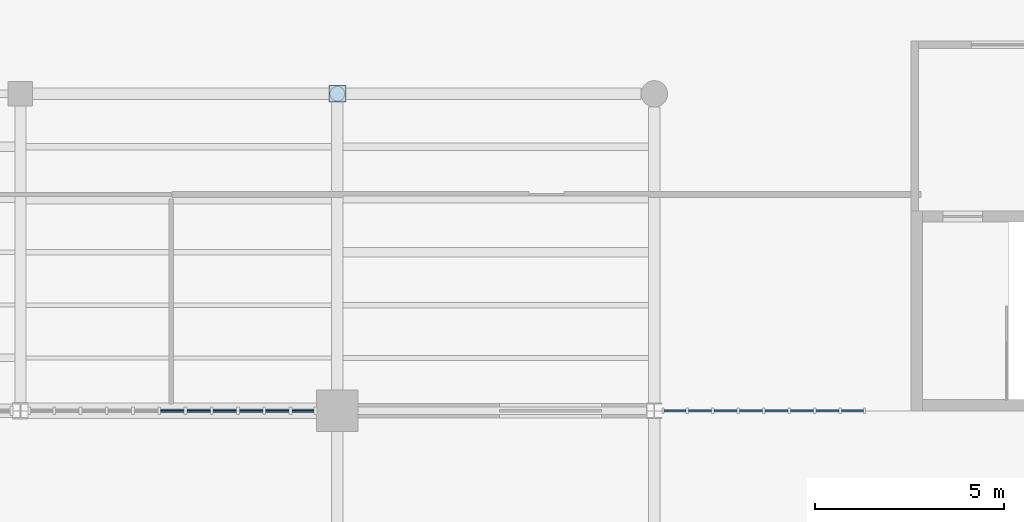
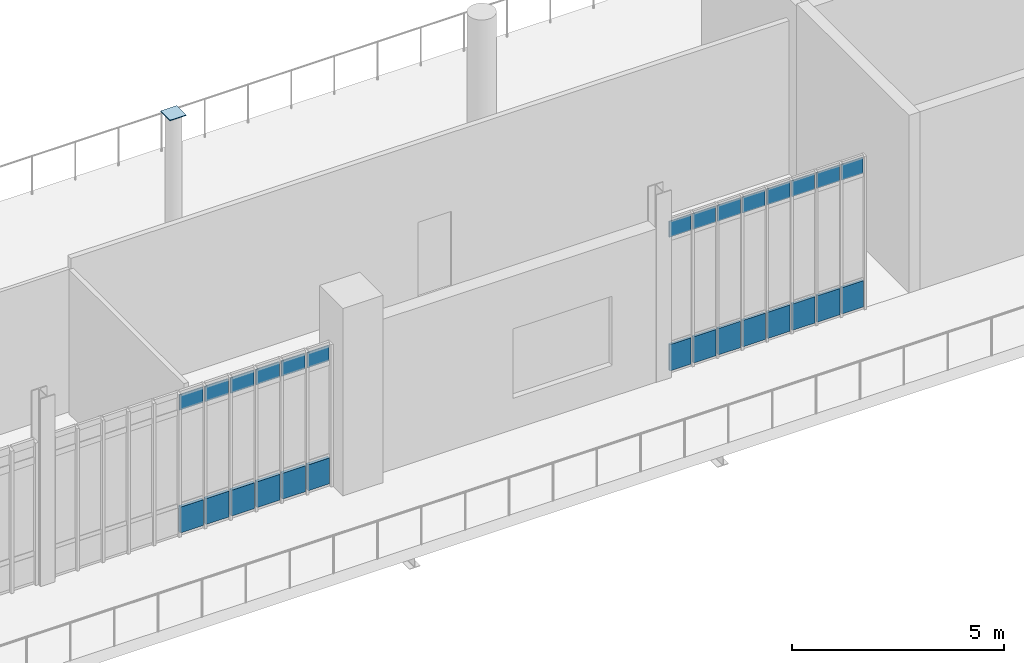
# One storey, part 94 of 135: 29 plates, 2 elements without a shape of their own.
"""IFC4 building model written with IfcOpenShell, lengths in metres."""

import ifcopenshell
import ifcopenshell.guid

model = None  # the IFC model being written
_history = None  # IfcOwnerHistory: only IFC2X3 demands one
_inside = {}  # id of a spatial element -> (the spatial element, [elements in it])
_under = {}  # id of a project, library or spatial element -> (it, [spatial elements below it])
_declared = {}  # id of a project -> (the project, [libraries it declares])
_typed = {}  # id of a type object -> (the type object, [elements of that type])
_made_of = {}  # id of a material, layer set ... -> (it, [elements and type objects made of it])


def new_model(schema):
    """Start an empty IFC model of exactly this schema.

    Asked for "IFC4X3", IfcOpenShell would pick the latest addendum, in which some entities
    have other attributes; the version numbers below select the first issue.
    IFC2X3 requires an IfcOwnerHistory on every rooted entity: one is made here for all.
    """
    global model, _history
    if schema == "IFC4X3":
        model = ifcopenshell.file(schema_version=(4, 3, 0, 0))
    else:
        model = ifcopenshell.file(schema=schema)
    _inside.clear()
    _under.clear()
    _declared.clear()
    _typed.clear()
    _made_of.clear()
    _history = None
    if model.schema == "IFC2X3":
        org = make("IfcOrganization", Name="unknown")
        user = make(
            "IfcPersonAndOrganization",
            ThePerson=make("IfcPerson", FamilyName="unknown"),
            TheOrganization=org,
        )
        app = make(
            "IfcApplication",
            ApplicationDeveloper=org,
            Version="unknown",
            ApplicationFullName="unknown",
            ApplicationIdentifier="unknown",
        )
        _history = make(
            "IfcOwnerHistory",
            OwningUser=user,
            OwningApplication=app,
            ChangeAction="ADDED",
            CreationDate=0,
        )
    return model


def make(cls, **values):
    """One entity of the class cls with the attributes given. An attribute that is None is left unset."""
    return model.create_entity(
        cls, **{name: value for name, value in values.items() if value is not None}
    )


def rooted(cls, **values):
    """An entity with a GlobalId (a new one), such as an element, a storey or a relation."""
    return make(cls, GlobalId=ifcopenshell.guid.new(), OwnerHistory=_history, **values)


def si_unit(unit_type, name, prefix=None):
    """IfcSIUnit, for example si_unit("LENGTHUNIT", "METRE", prefix="MILLI")."""
    return make("IfcSIUnit", UnitType=unit_type, Prefix=prefix, Name=name)


def assignment(units):
    """IfcUnitAssignment: the units of a project."""
    return None if units is None else make("IfcUnitAssignment", Units=units)


def point(xyz):
    """IfcCartesianPoint."""
    return None if xyz is None else make("IfcCartesianPoint", Coordinates=xyz)


def direction(xyz):
    """IfcDirection."""
    return None if xyz is None else make("IfcDirection", DirectionRatios=xyz)


def frame(location, z_axis=None, x_axis=None):
    """IfcAxis2Placement3D, a coordinate frame: its origin and axes. An axis left out is left unset."""
    return make(
        "IfcAxis2Placement3D",
        Location=point(location),
        Axis=direction(z_axis),
        RefDirection=direction(x_axis),
    )


def frame_2d(location, x_axis=None):
    """IfcAxis2Placement2D, a coordinate frame in the plane: its origin and x axis."""
    return make(
        "IfcAxis2Placement2D", Location=point(location), RefDirection=direction(x_axis)
    )


def origin():
    """The frame at (0, 0, 0) with its axes left unset."""
    return frame((0.0, 0.0, 0.0))


def origin_2d():
    """The frame at (0, 0) in the plane with its x axis left unset."""
    return frame_2d((0.0, 0.0))


def place(relative_to, where):
    """IfcLocalPlacement: puts the frame where relative to a parent placement (None: the world)."""
    return make(
        "IfcLocalPlacement", PlacementRelTo=relative_to, RelativePlacement=where
    )


def context(
    kind, dimensions, precision=None, world=None, true_north=None, identifier=None
):
    """IfcGeometricRepresentationContext, for example the 3D "Model" context."""
    return make(
        "IfcGeometricRepresentationContext",
        ContextIdentifier=identifier,
        ContextType=kind,
        CoordinateSpaceDimension=dimensions,
        Precision=precision,
        WorldCoordinateSystem=world,
        TrueNorth=true_north,
    )


def subcontext(parent, identifier, kind, view, scale=None):
    """IfcGeometricRepresentationSubContext, for example "Body" below "Model"."""
    return make(
        "IfcGeometricRepresentationSubContext",
        ContextIdentifier=identifier,
        ContextType=kind,
        ParentContext=parent,
        TargetScale=scale,
        TargetView=view,
    )


def project(units=None, contexts=None):
    """IfcProject with its units and contexts."""
    return rooted(
        "IfcProject",
        Name="project",
        RepresentationContexts=contexts,
        UnitsInContext=assignment(units),
    )


def spatial(cls, under=None, at=None, **own):
    """A site, building, storey or space (cls), placed at a placement, below another one or the project."""
    s = rooted(cls, ObjectPlacement=at, **own)
    if under is not None:
        _under.setdefault(under.id(), (under, []))[1].append(s)
    return s


def profile(cls, at=None, kind="AREA", **sizes):
    """A parametric profile (cls). Its sizes go by their IFC names, for example OverallWidth=200.0."""
    return make(cls, ProfileType=kind, Position=at, **sizes)


def rectangle(**sizes):
    """IfcRectangleProfileDef."""
    return profile("IfcRectangleProfileDef", **sizes)


def extrude(swept, where, along, depth):
    """IfcExtrudedAreaSolid: the profile swept, set in the frame where, extruded along a direction by depth."""
    return make(
        "IfcExtrudedAreaSolid",
        SweptArea=swept,
        Position=where,
        ExtrudedDirection=direction(along),
        Depth=depth,
    )


def shape(context_of_items, identifier, shape_type, items):
    """IfcShapeRepresentation: the items that make up one representation, for example the "Body"."""
    return make(
        "IfcShapeRepresentation",
        ContextOfItems=context_of_items,
        RepresentationIdentifier=identifier,
        RepresentationType=shape_type,
        Items=items,
    )


def material(Name=None, Category=None):
    """IfcMaterial."""
    return make("IfcMaterial", Name=Name, Category=Category)


def layer(
    of_material, thickness, ventilated=None, Name=None, Category=None, Priority=None
):
    """IfcMaterialLayer: one layer of a wall or slab, of a material (None: an air gap)."""
    return make(
        "IfcMaterialLayer",
        Material=of_material,
        LayerThickness=thickness,
        IsVentilated=ventilated,
        Name=Name,
        Category=Category,
        Priority=Priority,
    )


def layer_set(layers, Name=None):
    """IfcMaterialLayerSet."""
    return make("IfcMaterialLayerSet", MaterialLayers=layers, LayerSetName=Name)


def made_of(thing, what):
    """Note that an element or type object is made of a material, layer set ...; save() writes the relation."""
    if what is not None:
        _made_of.setdefault(what.id(), (what, []))[1].append(thing)
    return thing


def type_object(cls, material=None, **own):
    """A type object (cls), such as IfcWallType, which elements share."""
    return made_of(rooted(cls, **own), material)


def element(
    cls,
    number,
    at=None,
    inside=None,
    cuts=None,
    type_object=None,
    material=None,
    context=None,
    identifier="Body",
    shape_type=None,
    held_by="IfcProductDefinitionShape",
    body=None,
    shapes=None,
    **own,
):
    """One element of the class cls, such as IfcWall. Its Tag is "e" and its number.

    at: its placement. inside: the storey or other place that contains it. cuts: it is an
    opening in that element (IfcRelVoidsElement). A single representation is given by context,
    identifier, shape_type and body (its items); several are given by shapes. held_by: the class
    of the entity that holds the representations. save() writes the other relations.
    """
    e = rooted(cls, Tag="e%d" % number, ObjectPlacement=at, **own)
    if body is not None:
        shapes = [shape(context, identifier, shape_type, body)]
    if shapes is not None:
        e.Representation = make(held_by, Representations=shapes)
    if inside is not None:
        _inside.setdefault(inside.id(), (inside, []))[1].append(e)
    if cuts is not None:
        rooted(
            "IfcRelVoidsElement", RelatingBuildingElement=cuts, RelatedOpeningElement=e
        )
    if type_object is not None:
        _typed.setdefault(type_object.id(), (type_object, []))[1].append(e)
    return made_of(e, material)


def aggregate(whole, parts):
    """IfcRelAggregates: a whole, such as a stair, and the parts it consists of."""
    return rooted("IfcRelAggregates", RelatingObject=whole, RelatedObjects=parts)


def save(model, path):
    """Write the relations noted so far, then the file.

    IfcRelAggregates (storeys below a building ...), IfcRelContainedInSpatialStructure (elements
    in a storey), IfcRelDefinesByType, IfcRelAssociatesMaterial and IfcRelDeclares: one each for
    every whole, place, type object, material and project.
    """
    for whole, parts in _under.values():
        aggregate(whole, parts)
    for where, things in _inside.values():
        rooted(
            "IfcRelContainedInSpatialStructure",
            RelatedElements=things,
            RelatingStructure=where,
        )
    for kind, things in _typed.values():
        rooted("IfcRelDefinesByType", RelatedObjects=things, RelatingType=kind)
    for what, things in _made_of.values():
        rooted("IfcRelAssociatesMaterial", RelatedObjects=things, RelatingMaterial=what)
    for by, libraries in _declared.values():
        rooted("IfcRelDeclares", RelatingContext=by, RelatedDefinitions=libraries)
    model.write(path)


model = new_model("IFC4")

# Units and contexts
model_context = context("Model", 3, precision=1e-05, world=origin(), true_north=direction((0.0, 1.0)))
body_context = subcontext(model_context, "Body", "Model", "MODEL_VIEW")
ifc_project = project(units=[si_unit("LENGTHUNIT", "METRE"), si_unit("AREAUNIT", "SQUARE_METRE"), si_unit("VOLUMEUNIT", "CUBIC_METRE"), si_unit("PLANEANGLEUNIT", "RADIAN"), si_unit("MASSUNIT", "GRAM", prefix="KILO")], contexts=[model_context])

# Site, building, storey
site_placement = place(None, origin())
site = spatial("IfcSite", under=ifc_project, at=site_placement, CompositionType="ELEMENT")
building_placement = place(site_placement, origin())
building = spatial("IfcBuilding", under=site, at=building_placement, Name="Larkvane Passage Sports Hall", CompositionType="ELEMENT")
storey_placement = place(building_placement, frame((0.0, 0.0, 16.800048828125)))
storey = spatial("IfcBuildingStorey", under=building, at=storey_placement, Name="L03", CompositionType="ELEMENT", Elevation=16.800048828125)

# Curtain wall, plates
ifc_material_1 = material(Name="Thermally broken aluminium and low-E glazing", Category="aluminium")
curtain_wall_type_1 = type_object("IfcCurtainWallType", Name="CW-UNIT-COURT", PredefinedType="USERDEFINED", material=ifc_material_1)
curtain_wall_1_placement = place(storey_placement, origin())
curtain_wall_1 = element("IfcCurtainWall", 1, at=curtain_wall_1_placement, inside=storey, type_object=curtain_wall_type_1, Name="Curtain wall CW5-L03-124", ObjectType="UNITISED CURTAIN WALL", PredefinedType="USERDEFINED")
ifc_material_2 = material(Name="Insulated aluminium spandrel panel", Category="aluminium")
ifc_layer_1 = layer(ifc_material_2, 0.06494140625)
ifc_layer_set_1 = layer_set([ifc_layer_1], Name="Insulated aluminium spandrel panel")
plate_type_1 = type_object("IfcPlateType", Name="CWP-SPD-65", PredefinedType="CURTAIN_PANEL", material=ifc_layer_set_1)
plate_1_placement = place(storey_placement, frame((82.04736328125, 22.800048828125, 0.06005859375), z_axis=(0.0, 0.0, 1.0), x_axis=(-1.0, 0.0, 0.0)))
plate_1 = element("IfcPlate", 2, at=plate_1_placement, type_object=plate_type_1, Name="CW-01 panel 1.1", PredefinedType="CURTAIN_PANEL", context=body_context, shape_type="SweptSolid", body=[
    extrude(rectangle(XDim=0.585205078125, YDim=0.06494140625, at=origin_2d()), origin(), (0.0, 0.0, 1.0), 0.760009765625),
])
plate_2_placement = place(storey_placement, frame((81.38720703125, 22.800048828125, 0.06005859375), z_axis=(0.0, 0.0, 1.0), x_axis=(-1.0, 0.0, 0.0)))
plate_2 = element("IfcPlate", 3, at=plate_2_placement, type_object=plate_type_1, Name="CW-01 panel 2.1", PredefinedType="CURTAIN_PANEL", context=body_context, shape_type="SweptSolid", body=[
    extrude(rectangle(XDim=0.615234375, YDim=0.06494140625, at=origin_2d()), origin(), (0.0, 0.0, 1.0), 0.760009765625),
])
plate_3_placement = place(storey_placement, frame((80.7119140625, 22.800048828125, 0.06005859375), z_axis=(0.0, 0.0, 1.0), x_axis=(-1.0, 0.0, 0.0)))
plate_3 = element("IfcPlate", 4, at=plate_3_placement, type_object=plate_type_1, Name="CW-01 panel 3.1", PredefinedType="CURTAIN_PANEL", context=body_context, shape_type="SweptSolid", body=[
    extrude(rectangle(XDim=0.615234375, YDim=0.06494140625, at=origin_2d()), origin(), (0.0, 0.0, 1.0), 0.760009765625),
])
plate_4_placement = place(storey_placement, frame((80.036865234375, 22.800048828125, 0.06005859375), z_axis=(0.0, 0.0, 1.0), x_axis=(-1.0, 0.0, 0.0)))
plate_4 = element("IfcPlate", 5, at=plate_4_placement, type_object=plate_type_1, Name="CW-01 panel 4.1", PredefinedType="CURTAIN_PANEL", context=body_context, shape_type="SweptSolid", body=[
    extrude(rectangle(XDim=0.615234375, YDim=0.06494140625, at=origin_2d()), origin(), (0.0, 0.0, 1.0), 0.760009765625),
])
plate_5_placement = place(storey_placement, frame((79.361572265625, 22.800048828125, 0.06005859375), z_axis=(0.0, 0.0, 1.0), x_axis=(-1.0, 0.0, 0.0)))
plate_5 = element("IfcPlate", 6, at=plate_5_placement, type_object=plate_type_1, Name="CW-01 panel 5.1", PredefinedType="CURTAIN_PANEL", context=body_context, shape_type="SweptSolid", body=[
    extrude(rectangle(XDim=0.615234375, YDim=0.06494140625, at=origin_2d()), origin(), (0.0, 0.0, 1.0), 0.760009765625),
])
plate_6_placement = place(storey_placement, frame((78.6865234375, 22.800048828125, 0.06005859375), z_axis=(0.0, 0.0, 1.0), x_axis=(-1.0, 0.0, 0.0)))
plate_6 = element("IfcPlate", 7, at=plate_6_placement, type_object=plate_type_1, Name="CW-01 panel 6.1", PredefinedType="CURTAIN_PANEL", context=body_context, shape_type="SweptSolid", body=[
    extrude(rectangle(XDim=0.615234375, YDim=0.06494140625, at=origin_2d()), origin(), (0.0, 0.0, 1.0), 0.760009765625),
])
plate_7_placement = place(storey_placement, frame((78.01123046875, 22.800048828125, 0.06005859375), z_axis=(0.0, 0.0, 1.0), x_axis=(-1.0, 0.0, 0.0)))
plate_7 = element("IfcPlate", 8, at=plate_7_placement, type_object=plate_type_1, Name="CW-01 panel 7.1", PredefinedType="CURTAIN_PANEL", context=body_context, shape_type="SweptSolid", body=[
    extrude(rectangle(XDim=0.615234375, YDim=0.06494140625, at=origin_2d()), origin(), (0.0, 0.0, 1.0), 0.760009765625),
])
plate_8_placement = place(storey_placement, frame((77.35107421875, 22.800048828125, 0.06005859375), z_axis=(0.0, 0.0, 1.0), x_axis=(-1.0, 0.0, 0.0)))
plate_8 = element("IfcPlate", 9, at=plate_8_placement, type_object=plate_type_1, Name="CW-01 panel 8.1", PredefinedType="CURTAIN_PANEL", context=body_context, shape_type="SweptSolid", body=[
    extrude(rectangle(XDim=0.585205078125, YDim=0.06494140625, at=origin_2d()), origin(), (0.0, 0.0, 1.0), 0.760009765625),
])

curtain_wall_type_2 = type_object("IfcCurtainWallType", Name="CW-UNIT-VEIL", PredefinedType="USERDEFINED", material=ifc_material_1)
curtain_wall_2_placement = place(storey_placement, origin())
curtain_wall_2 = element("IfcCurtainWall", 10, at=curtain_wall_2_placement, inside=storey, type_object=curtain_wall_type_2, Name="Curtain wall CW5-L03-125", ObjectType="UNITISED CURTAIN WALL", PredefinedType="USERDEFINED")
ifc_material_3 = material(Name="Mineral-wool insulated spandrel cassette")
ifc_layer_2 = layer(ifc_material_3, 0.0849609375)
ifc_layer_set_2 = layer_set([ifc_layer_2], Name="Mineral-wool insulated spandrel cassette")
plate_type_2 = type_object("IfcPlateType", Name="CWP-SPD-85", PredefinedType="CURTAIN_PANEL", material=ifc_layer_set_2)
plate_9_placement = place(storey_placement, frame((67.488525390625, 22.800048828125, 0.06982421875), z_axis=(0.0, 0.0, 1.0), x_axis=(-1.0, 0.0, 0.0)))
plate_9 = element("IfcPlate", 11, at=plate_9_placement, type_object=plate_type_2, Name="CW-02 panel 1.1", PredefinedType="CURTAIN_PANEL", context=body_context, shape_type="SweptSolid", body=[
    extrude(rectangle(XDim=0.5908203125, YDim=0.0849609375, at=origin_2d()), origin(), (0.0, 0.0, 1.0), 0.7451171875),
])
plate_10_placement = place(storey_placement, frame((66.810302734375, 22.800048828125, 0.06982421875), z_axis=(0.0, 0.0, 1.0), x_axis=(-1.0, 0.0, 0.0)))
plate_10 = element("IfcPlate", 12, at=plate_10_placement, type_object=plate_type_2, Name="CW-02 panel 2.1", PredefinedType="CURTAIN_PANEL", context=body_context, shape_type="SweptSolid", body=[
    extrude(rectangle(XDim=0.6259765625, YDim=0.0849609375, at=origin_2d()), origin(), (0.0, 0.0, 1.0), 0.7451171875),
])
plate_11_placement = place(storey_placement, frame((66.1142578125, 22.800048828125, 0.06982421875), z_axis=(0.0, 0.0, 1.0), x_axis=(-1.0, 0.0, 0.0)))
plate_11 = element("IfcPlate", 13, at=plate_11_placement, type_object=plate_type_2, Name="CW-02 panel 3.1", PredefinedType="CURTAIN_PANEL", context=body_context, shape_type="SweptSolid", body=[
    extrude(rectangle(XDim=0.6259765625, YDim=0.0849609375, at=origin_2d()), origin(), (0.0, 0.0, 1.0), 0.7451171875),
])
plate_12_placement = place(storey_placement, frame((65.41845703125, 22.800048828125, 0.06982421875), z_axis=(0.0, 0.0, 1.0), x_axis=(-1.0, 0.0, 0.0)))
plate_12 = element("IfcPlate", 14, at=plate_12_placement, type_object=plate_type_2, Name="CW-02 panel 4.1", PredefinedType="CURTAIN_PANEL", context=body_context, shape_type="SweptSolid", body=[
    extrude(rectangle(XDim=0.6259765625, YDim=0.0849609375, at=origin_2d()), origin(), (0.0, 0.0, 1.0), 0.7451171875),
])
plate_13_placement = place(storey_placement, frame((64.72265625, 22.800048828125, 0.06982421875), z_axis=(0.0, 0.0, 1.0), x_axis=(-1.0, 0.0, 0.0)))
plate_13 = element("IfcPlate", 15, at=plate_13_placement, type_object=plate_type_2, Name="CW-02 panel 5.1", PredefinedType="CURTAIN_PANEL", context=body_context, shape_type="SweptSolid", body=[
    extrude(rectangle(XDim=0.6259765625, YDim=0.0849609375, at=origin_2d()), origin(), (0.0, 0.0, 1.0), 0.7451171875),
])
plate_14_placement = place(storey_placement, frame((64.02685546875, 22.800048828125, 0.06982421875), z_axis=(0.0, 0.0, 1.0), x_axis=(-1.0, 0.0, 0.0)))
plate_14 = element("IfcPlate", 16, at=plate_14_placement, type_object=plate_type_2, Name="CW-02 panel 6.1", PredefinedType="CURTAIN_PANEL", context=body_context, shape_type="SweptSolid", body=[
    extrude(rectangle(XDim=0.6259765625, YDim=0.0849609375, at=origin_2d()), origin(), (0.0, 0.0, 1.0), 0.7451171875),
])

# Plate
ifc_material_4 = material(Name="Solar-control low-E double glazing", Category="glass")
ifc_layer_3 = layer(ifc_material_4, 0.028076171875)
ifc_layer_set_3 = layer_set([ifc_layer_3], Name="Solar-control low-E double glazing")
plate_type_3 = type_object("IfcPlateType", Name="CWP-VIS-28", PredefinedType="CURTAIN_PANEL", material=ifc_layer_set_3)
plate_15_placement = place(storey_placement, frame((82.04736328125, 22.800048828125, 3.89990234375), z_axis=(0.0, 0.0, 1.0), x_axis=(-1.0, 0.0, 0.0)))
plate_15 = element("IfcPlate", 17, at=plate_15_placement, type_object=plate_type_3, Name="CW-01 panel 1.3", PredefinedType="CURTAIN_PANEL", context=body_context, shape_type="SweptSolid", body=[
    extrude(rectangle(XDim=0.585205078125, YDim=0.028076171875, at=origin_2d()), origin(), (0.0, 0.0, 1.0), 0.4599609375),
])

plate_16_placement = place(storey_placement, frame((81.38720703125, 22.800048828125, 3.89990234375), z_axis=(0.0, 0.0, 1.0), x_axis=(-1.0, 0.0, 0.0)))
plate_16 = element("IfcPlate", 18, at=plate_16_placement, type_object=plate_type_3, Name="CW-01 panel 2.3", PredefinedType="CURTAIN_PANEL", context=body_context, shape_type="SweptSolid", body=[
    extrude(rectangle(XDim=0.615234375, YDim=0.028076171875, at=origin_2d()), origin(), (0.0, 0.0, 1.0), 0.4599609375),
])

plate_17_placement = place(storey_placement, frame((80.7119140625, 22.800048828125, 3.89990234375), z_axis=(0.0, 0.0, 1.0), x_axis=(-1.0, 0.0, 0.0)))
plate_17 = element("IfcPlate", 19, at=plate_17_placement, type_object=plate_type_3, Name="CW-01 panel 3.3", PredefinedType="CURTAIN_PANEL", context=body_context, shape_type="SweptSolid", body=[
    extrude(rectangle(XDim=0.615234375, YDim=0.028076171875, at=origin_2d()), origin(), (0.0, 0.0, 1.0), 0.4599609375),
])

plate_18_placement = place(storey_placement, frame((80.036865234375, 22.800048828125, 3.89990234375), z_axis=(0.0, 0.0, 1.0), x_axis=(-1.0, 0.0, 0.0)))
plate_18 = element("IfcPlate", 20, at=plate_18_placement, type_object=plate_type_3, Name="CW-01 panel 4.3", PredefinedType="CURTAIN_PANEL", context=body_context, shape_type="SweptSolid", body=[
    extrude(rectangle(XDim=0.615234375, YDim=0.028076171875, at=origin_2d()), origin(), (0.0, 0.0, 1.0), 0.4599609375),
])

plate_19_placement = place(storey_placement, frame((79.361572265625, 22.800048828125, 3.89990234375), z_axis=(0.0, 0.0, 1.0), x_axis=(-1.0, 0.0, 0.0)))
plate_19 = element("IfcPlate", 21, at=plate_19_placement, type_object=plate_type_3, Name="CW-01 panel 5.3", PredefinedType="CURTAIN_PANEL", context=body_context, shape_type="SweptSolid", body=[
    extrude(rectangle(XDim=0.615234375, YDim=0.028076171875, at=origin_2d()), origin(), (0.0, 0.0, 1.0), 0.4599609375),
])

plate_20_placement = place(storey_placement, frame((78.6865234375, 22.800048828125, 3.89990234375), z_axis=(0.0, 0.0, 1.0), x_axis=(-1.0, 0.0, 0.0)))
plate_20 = element("IfcPlate", 22, at=plate_20_placement, type_object=plate_type_3, Name="CW-01 panel 6.3", PredefinedType="CURTAIN_PANEL", context=body_context, shape_type="SweptSolid", body=[
    extrude(rectangle(XDim=0.615234375, YDim=0.028076171875, at=origin_2d()), origin(), (0.0, 0.0, 1.0), 0.4599609375),
])

plate_21_placement = place(storey_placement, frame((78.01123046875, 22.800048828125, 3.89990234375), z_axis=(0.0, 0.0, 1.0), x_axis=(-1.0, 0.0, 0.0)))
plate_21 = element("IfcPlate", 23, at=plate_21_placement, type_object=plate_type_3, Name="CW-01 panel 7.3", PredefinedType="CURTAIN_PANEL", context=body_context, shape_type="SweptSolid", body=[
    extrude(rectangle(XDim=0.615234375, YDim=0.028076171875, at=origin_2d()), origin(), (0.0, 0.0, 1.0), 0.4599609375),
])

plate_22_placement = place(storey_placement, frame((77.35107421875, 22.800048828125, 3.89990234375), z_axis=(0.0, 0.0, 1.0), x_axis=(-1.0, 0.0, 0.0)))
plate_22 = element("IfcPlate", 24, at=plate_22_placement, type_object=plate_type_3, Name="CW-01 panel 8.3", PredefinedType="CURTAIN_PANEL", context=body_context, shape_type="SweptSolid", body=[
    extrude(rectangle(XDim=0.585205078125, YDim=0.028076171875, at=origin_2d()), origin(), (0.0, 0.0, 1.0), 0.4599609375),
])

aggregate(curtain_wall_1, [plate_1, plate_15, plate_2, plate_16, plate_3, plate_17, plate_4, plate_18, plate_5, plate_19, plate_6, plate_20, plate_7, plate_21, plate_8, plate_22])

ifc_material_5 = material(Name="Laminated acoustic low-E glazing", Category="glass")
ifc_layer_4 = layer(ifc_material_5, 0.031982421875)
ifc_layer_set_4 = layer_set([ifc_layer_4], Name="Laminated acoustic low-E glazing")
plate_type_4 = type_object("IfcPlateType", Name="CWP-VIS-32", PredefinedType="CURTAIN_PANEL", material=ifc_layer_set_4)
plate_23_placement = place(storey_placement, frame((67.488525390625, 22.800048828125, 3.5927734375), z_axis=(0.0, 0.0, 1.0), x_axis=(-1.0, 0.0, 0.0)))
plate_23 = element("IfcPlate", 25, at=plate_23_placement, type_object=plate_type_4, Name="CW-02 panel 1.3", PredefinedType="CURTAIN_PANEL", context=body_context, shape_type="SweptSolid", body=[
    extrude(rectangle(XDim=0.5908203125, YDim=0.031982421875, at=origin_2d()), origin(), (0.0, 0.0, 1.0), 0.445068359375),
])

plate_24_placement = place(storey_placement, frame((66.810302734375, 22.800048828125, 3.5927734375), z_axis=(0.0, 0.0, 1.0), x_axis=(-1.0, 0.0, 0.0)))
plate_24 = element("IfcPlate", 26, at=plate_24_placement, type_object=plate_type_4, Name="CW-02 panel 2.3", PredefinedType="CURTAIN_PANEL", context=body_context, shape_type="SweptSolid", body=[
    extrude(rectangle(XDim=0.6259765625, YDim=0.031982421875, at=origin_2d()), origin(), (0.0, 0.0, 1.0), 0.445068359375),
])

plate_25_placement = place(storey_placement, frame((66.1142578125, 22.800048828125, 3.5927734375), z_axis=(0.0, 0.0, 1.0), x_axis=(-1.0, 0.0, 0.0)))
plate_25 = element("IfcPlate", 27, at=plate_25_placement, type_object=plate_type_4, Name="CW-02 panel 3.3", PredefinedType="CURTAIN_PANEL", context=body_context, shape_type="SweptSolid", body=[
    extrude(rectangle(XDim=0.6259765625, YDim=0.031982421875, at=origin_2d()), origin(), (0.0, 0.0, 1.0), 0.445068359375),
])

plate_26_placement = place(storey_placement, frame((65.41845703125, 22.800048828125, 3.5927734375), z_axis=(0.0, 0.0, 1.0), x_axis=(-1.0, 0.0, 0.0)))
plate_26 = element("IfcPlate", 28, at=plate_26_placement, type_object=plate_type_4, Name="CW-02 panel 4.3", PredefinedType="CURTAIN_PANEL", context=body_context, shape_type="SweptSolid", body=[
    extrude(rectangle(XDim=0.6259765625, YDim=0.031982421875, at=origin_2d()), origin(), (0.0, 0.0, 1.0), 0.445068359375),
])

plate_27_placement = place(storey_placement, frame((64.72265625, 22.800048828125, 3.5927734375), z_axis=(0.0, 0.0, 1.0), x_axis=(-1.0, 0.0, 0.0)))
plate_27 = element("IfcPlate", 29, at=plate_27_placement, type_object=plate_type_4, Name="CW-02 panel 5.3", PredefinedType="CURTAIN_PANEL", context=body_context, shape_type="SweptSolid", body=[
    extrude(rectangle(XDim=0.6259765625, YDim=0.031982421875, at=origin_2d()), origin(), (0.0, 0.0, 1.0), 0.445068359375),
])

plate_28_placement = place(storey_placement, frame((64.02685546875, 22.800048828125, 3.5927734375), z_axis=(0.0, 0.0, 1.0), x_axis=(-1.0, 0.0, 0.0)))
plate_28 = element("IfcPlate", 30, at=plate_28_placement, type_object=plate_type_4, Name="CW-02 panel 6.3", PredefinedType="CURTAIN_PANEL", context=body_context, shape_type="SweptSolid", body=[
    extrude(rectangle(XDim=0.6259765625, YDim=0.031982421875, at=origin_2d()), origin(), (0.0, 0.0, 1.0), 0.445068359375),
])

aggregate(curtain_wall_2, [plate_9, plate_23, plate_10, plate_24, plate_11, plate_25, plate_12, plate_26, plate_13, plate_27, plate_14, plate_28])

ifc_material_6 = material(Name="Steel S460N", Category="steel")
ifc_layer_5 = layer(ifc_material_6, 0.02001953125)
ifc_layer_set_5 = layer_set([ifc_layer_5], Name="Steel S460N")
plate_type_5 = type_object("IfcPlateType", Name="PLT-CAP-20", PredefinedType="SHEET", material=ifc_layer_set_5)
plate_29_placement = place(storey_placement, frame((68.39990234375, 31.199951171875, 5.39990234375), z_axis=(0.0, 0.0, 1.0), x_axis=(1.0, 0.0, 0.0)))
element("IfcPlate", 31, at=plate_29_placement, inside=storey, type_object=plate_type_5, Name="Hollow section sealed end cap plate 0013", PredefinedType="SHEET", context=body_context, shape_type="SweptSolid", body=[
    extrude(rectangle(XDim=0.446044921875, YDim=0.446044921875, at=origin_2d()), origin(), (0.0, 0.0, 1.0), 0.02001953125),
])

save(model, "model.ifc")
